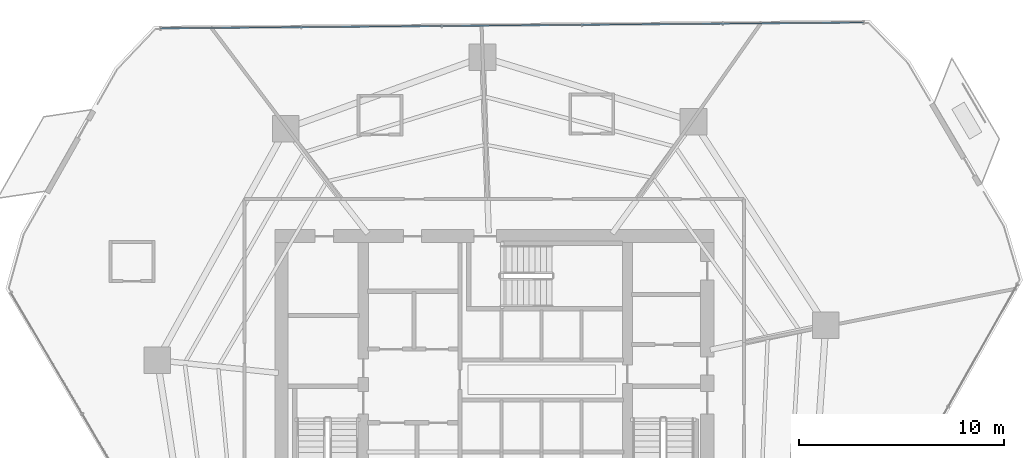
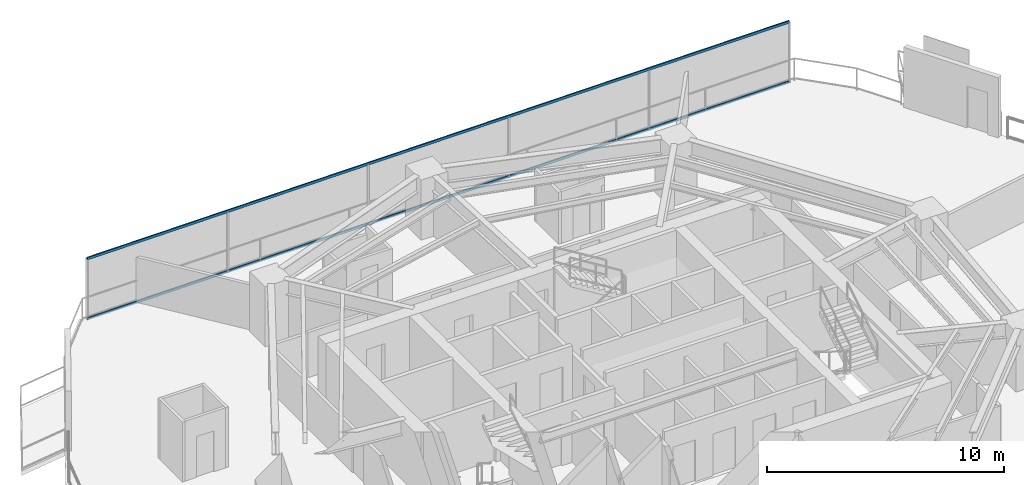
# One storey, part 20 of 31: 2 members, 1 element without a shape of its own.
"""IFC4 building model written with IfcOpenShell, lengths in metres."""

from ifc_helpers import new_model, si_unit, direction, frame, origin, origin_2d, place, context, subcontext, project, spatial, hollow_rectangle, extrude, material, layer, layer_set, material_profile, profile_set, type_object, element, aggregate, save


model = new_model("IFC4")

# Units and contexts
model_context = context("Model", 3, precision=1e-05, world=origin(), true_north=direction((0.0, 1.0)))
body_context = subcontext(model_context, "Body", "Model", "MODEL_VIEW")
ifc_project = project(units=[si_unit("LENGTHUNIT", "METRE"), si_unit("AREAUNIT", "SQUARE_METRE"), si_unit("VOLUMEUNIT", "CUBIC_METRE"), si_unit("PLANEANGLEUNIT", "RADIAN"), si_unit("MASSUNIT", "GRAM", prefix="KILO")], contexts=[model_context])

# Site, building, storey
site_placement = place(None, origin())
site = spatial("IfcSite", under=ifc_project, at=site_placement, CompositionType="ELEMENT")
building_placement = place(site_placement, origin())
building = spatial("IfcBuilding", under=site, at=building_placement, Name="Qarnah Convention Tower", CompositionType="ELEMENT")
storey_placement = place(building_placement, frame((0.0, 0.0, 68.39990234375)))
storey = spatial("IfcBuildingStorey", under=building, at=storey_placement, Name="L17", CompositionType="ELEMENT", Elevation=68.39990234375)

# Curtain wall, members
ifc_material_1 = material(Name="Tempered Low-E dark glass", Category="glass")
ifc_layer = layer(ifc_material_1, 0.16796875)
ifc_layer_set = layer_set([ifc_layer], Name="Tempered Low-E dark glass")
curtain_wall_type = type_object("IfcCurtainWallType", Name="CWS-01", PredefinedType="NOTDEFINED", material=ifc_layer_set)
curtain_wall_placement = place(storey_placement, origin())
curtain_wall = element("IfcCurtainWall", 1, at=curtain_wall_placement, inside=storey, type_object=curtain_wall_type, Name="L17 unitised curtain wall CW-L17-F2", PredefinedType="NOTDEFINED")
ifc_material_2 = material(Name="Black anodised aluminium", Category="aluminium")
ifc_material_profile = material_profile(ifc_material_2, hollow_rectangle(XDim=0.06005859375, YDim=0.1298828125, WallThickness=0.00390625, at=origin_2d()), Name="TRN-60X130")
ifc_profile_set = profile_set([ifc_material_profile], Name="Black anodised aluminium")
member_type = type_object("IfcMemberType", Name="TRN-T1", PredefinedType="USERDEFINED", material=ifc_profile_set)
member_1_placement = place(storey_placement, frame((20.89501953125, 44.343017578125, 0.0), z_axis=(0.99996533092, 0.008326881631, 0.0), x_axis=(-0.008326881631, 0.99996533092, 0.0)))
member_1 = element("IfcMember", 2, at=member_1_placement, type_object=member_type, Name="CW-L17-F2 transom 1", ObjectType="TRANSOM", PredefinedType="USERDEFINED", context=body_context, shape_type="SweptSolid", body=[
    extrude(hollow_rectangle(XDim=0.06005859375, YDim=0.1298828125, WallThickness=0.00390625, at=origin_2d()), origin(), (0.0, 0.0, 1.0), 34.333251953125),
])
member_2_placement = place(storey_placement, frame((20.89501953125, 44.343017578125, 3.090087890625), z_axis=(0.99996533092, 0.008326881631, 0.0), x_axis=(-0.008326881631, 0.99996533092, 0.0)))
member_2 = element("IfcMember", 3, at=member_2_placement, type_object=member_type, Name="CW-L17-F2 transom 2", ObjectType="TRANSOM", PredefinedType="USERDEFINED", context=body_context, shape_type="SweptSolid", body=[
    extrude(hollow_rectangle(XDim=0.06005859375, YDim=0.1298828125, WallThickness=0.00390625, at=origin_2d()), origin(), (0.0, 0.0, 1.0), 34.333251953125),
])
aggregate(curtain_wall, [member_1, member_2])

save(model, "model.ifc")
